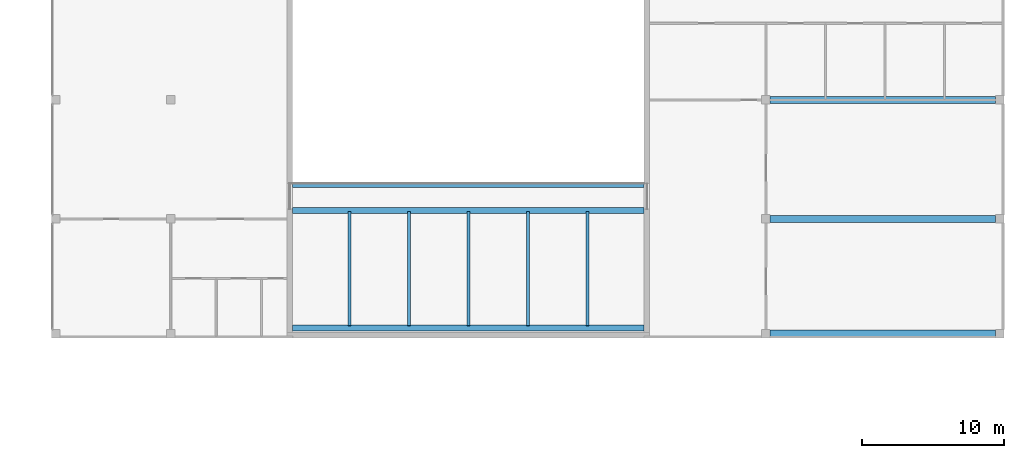
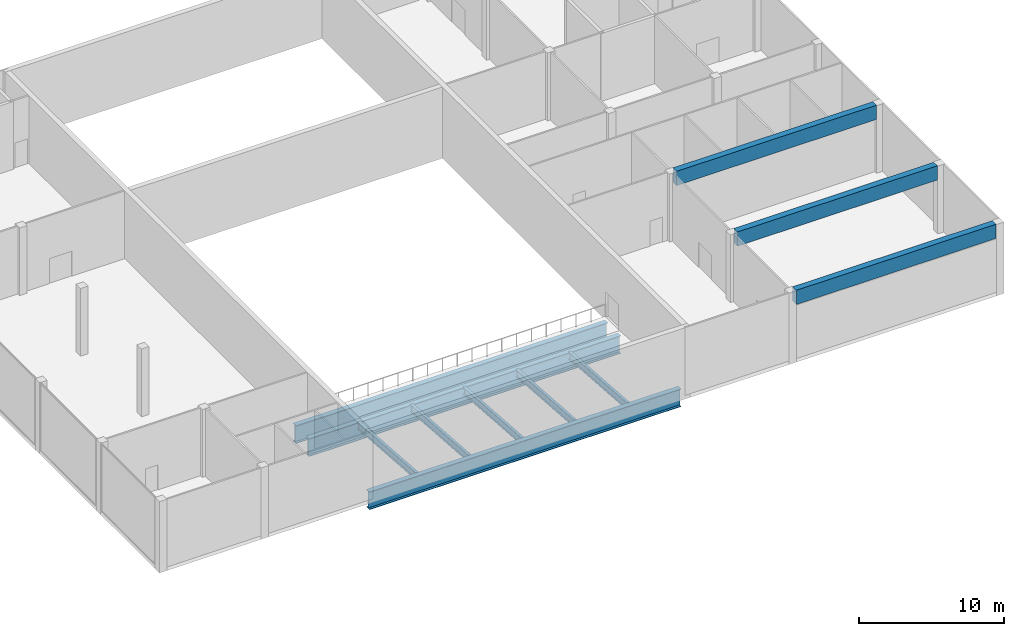
# One storey, part 13 of 49: 11 beams.
"""IFC4 building model written with IfcOpenShell, lengths in metres."""

from ifc_helpers import new_model, si_unit, direction, frame, origin, origin_2d, place, context, subcontext, project, spatial, rectangle, i_section, extrude, material, material_profile, profile_set, type_object, element, save


model = new_model("IFC4")

# Units and contexts
model_context = context("Model", 3, precision=1e-05, world=origin(), true_north=direction((0.0, 1.0)))
body_context = subcontext(model_context, "Body", "Model", "MODEL_VIEW")
ifc_project = project(units=[si_unit("LENGTHUNIT", "METRE"), si_unit("AREAUNIT", "SQUARE_METRE"), si_unit("VOLUMEUNIT", "CUBIC_METRE"), si_unit("PLANEANGLEUNIT", "RADIAN"), si_unit("MASSUNIT", "GRAM", prefix="KILO")], contexts=[model_context])

# Site, building, storey
site_placement = place(None, origin())
site = spatial("IfcSite", under=ifc_project, at=site_placement, CompositionType="ELEMENT")
building_placement = place(site_placement, origin())
building = spatial("IfcBuilding", under=site, at=building_placement, Name="Candeia Pilgrim Tower and Theatre", CompositionType="ELEMENT")
storey_placement = place(building_placement, frame((0.0, 0.0, 17.0)))
storey = spatial("IfcBuildingStorey", under=building, at=storey_placement, Name="L02", CompositionType="ELEMENT", Elevation=17.0)

# Beams
ifc_material_1 = material(Name="Steel S355", Category="steel")
ifc_material_profile_1 = material_profile(ifc_material_1, i_section(OverallWidth=0.39990234375, OverallDepth=1.5, WebThickness=0.02001953125, FlangeThickness=0.0400390625, at=origin_2d()))
ifc_profile_set_1 = profile_set([ifc_material_profile_1], Name="Steel S355")
beam_type_1 = type_object("IfcBeamType", Name="Circle girder PG 1500x400", PredefinedType="BEAM", material=ifc_profile_set_1)
for number, where, z_axis, x_axis, name in (
    (1, (193.0, 75.0, -1.050048828125), (1.0, 0.0, 0.0), (0.0, 1.0, 0.0), "Circle 2 girder 1"),
    (2, (193.0, 76.800048828125, -1.050048828125), (1.0, 0.0, 0.0), (0.0, 1.0, 0.0), "Circle 2 girder 2"),
    (3, (193.0, 66.699951171875, -0.48779296875), (1.0, 0.0, 0.0), (0.0, 1.0, 0.0), "Circle 2 rear girder"),
):
    element("IfcBeam", number, at=place(storey_placement, frame(where, z_axis=z_axis, x_axis=x_axis)), inside=storey, type_object=beam_type_1, Name=name, PredefinedType="BEAM", context=body_context, shape_type="SweptSolid", body=[
        extrude(i_section(OverallWidth=0.39990234375, OverallDepth=1.5, WebThickness=0.02001953125, FlangeThickness=0.0400390625, at=origin_2d()), origin(), (0.0, 0.0, 1.0), 24.800048828125),
    ])
ifc_material_profile_2 = material_profile(ifc_material_1, i_section(OverallWidth=0.219970703125, OverallDepth=0.60009765625, WebThickness=0.011962890625, FlangeThickness=0.01904296875, at=origin_2d()))
ifc_profile_set_2 = profile_set([ifc_material_profile_2], Name="Steel S355")
beam_type_2 = type_object("IfcBeamType", Name="Circle rake beam IPE 600", PredefinedType="BEAM", material=ifc_profile_set_2)
for number, where, z_axis, x_axis, name in (
    (4, (197.0, 66.85009765625, -0.002685546875), (0.0, 0.997310747349, -0.073288970667), (-1.0, 0.0, 0.0), "Circle 2 rake beam 1"),
    (5, (201.199951171875, 66.85009765625, -0.002685546875), (0.0, 0.997310747349, -0.073288970667), (-1.0, 0.0, 0.0), "Circle 2 rake beam 2"),
    (6, (205.39990234375, 66.85009765625, -0.002685546875), (0.0, 0.997310747349, -0.073288970667), (-1.0, 0.0, 0.0), "Circle 2 rake beam 3"),
    (7, (209.60009765625, 66.85009765625, -0.002685546875), (0.0, 0.997310747349, -0.073288970667), (-1.0, 0.0, 0.0), "Circle 2 rake beam 4"),
    (8, (213.800048828125, 66.85009765625, -0.002685546875), (0.0, 0.997310747349, -0.073288970667), (-1.0, 0.0, 0.0), "Circle 2 rake beam 5"),
):
    element("IfcBeam", number, at=place(storey_placement, frame(where, z_axis=z_axis, x_axis=x_axis)), inside=storey, type_object=beam_type_2, Name=name, PredefinedType="BEAM", context=body_context, shape_type="SweptSolid", body=[
        extrude(i_section(OverallWidth=0.219970703125, OverallDepth=0.60009765625, WebThickness=0.011962890625, FlangeThickness=0.01904296875, at=origin_2d()), origin(), (0.0, 0.0, 1.0), 8.071533203125),
    ])
ifc_material_2 = material(Name="Concrete C35/45", Category="concrete")
ifc_material_profile_3 = material_profile(ifc_material_2, rectangle(XDim=0.5, YDim=1.199951171875, at=origin_2d()))
ifc_profile_set_3 = profile_set([ifc_material_profile_3], Name="Concrete C35/45")
beam_type_3 = type_object("IfcBeamType", Name="Theatre beam 500x1200", PredefinedType="BEAM", material=ifc_profile_set_3)
for number, where, z_axis, x_axis, name in (
    (9, (226.699951171875, 66.300048828125, 5.10009765625), (1.0, 0.0, 0.0), (0.0, 1.0, 0.0), "Studio beam L02 66"),
    (10, (226.699951171875, 74.39990234375, 5.10009765625), (1.0, 0.0, 0.0), (0.0, 1.0, 0.0), "Studio beam L02 74"),
    (11, (226.699951171875, 82.800048828125, 5.10009765625), (1.0, 0.0, 0.0), (0.0, 1.0, 0.0), "Studio beam L02 82"),
):
    element("IfcBeam", number, at=place(storey_placement, frame(where, z_axis=z_axis, x_axis=x_axis)), inside=storey, type_object=beam_type_3, Name=name, PredefinedType="BEAM", context=body_context, shape_type="SweptSolid", body=[
        extrude(rectangle(XDim=0.5, YDim=1.199951171875, at=origin_2d()), origin(), (0.0, 0.0, 1.0), 15.900146484375),
    ])

save(model, "model.ifc")
